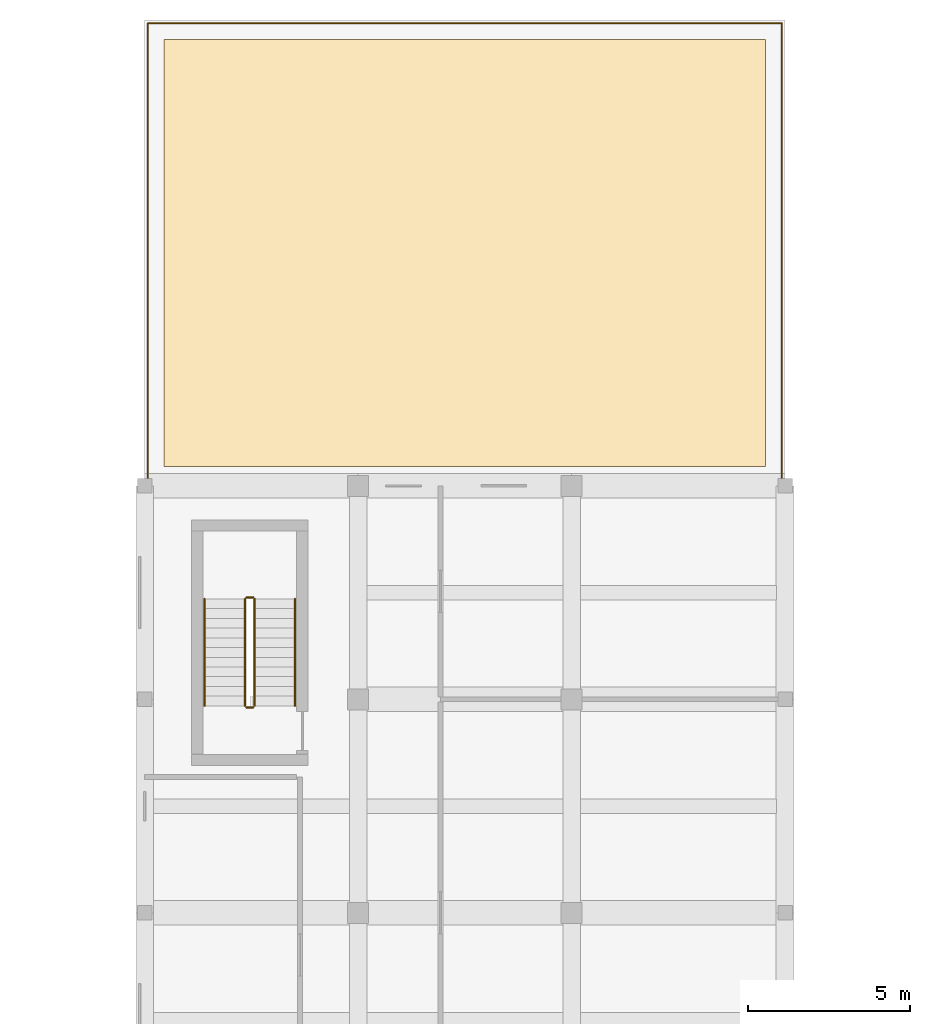
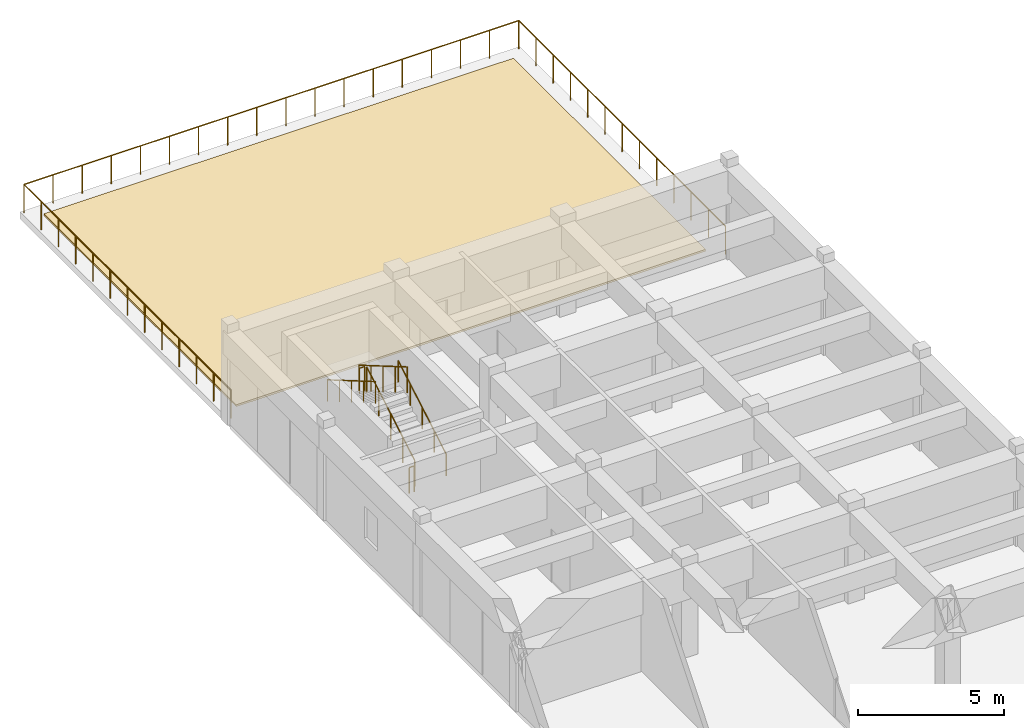
# One storey, part 130 of 130: 7 railings, 1 covering.
"""IFC4 building model written with IfcOpenShell, lengths in metres."""

import ifcopenshell
import ifcopenshell.guid

model = None  # the IFC model being written
_history = None  # IfcOwnerHistory: only IFC2X3 demands one
_inside = {}  # id of a spatial element -> (the spatial element, [elements in it])
_under = {}  # id of a project, library or spatial element -> (it, [spatial elements below it])
_declared = {}  # id of a project -> (the project, [libraries it declares])
_typed = {}  # id of a type object -> (the type object, [elements of that type])
_made_of = {}  # id of a material, layer set ... -> (it, [elements and type objects made of it])


def new_model(schema):
    """Start an empty IFC model of exactly this schema.

    Asked for "IFC4X3", IfcOpenShell would pick the latest addendum, in which some entities
    have other attributes; the version numbers below select the first issue.
    IFC2X3 requires an IfcOwnerHistory on every rooted entity: one is made here for all.
    """
    global model, _history
    if schema == "IFC4X3":
        model = ifcopenshell.file(schema_version=(4, 3, 0, 0))
    else:
        model = ifcopenshell.file(schema=schema)
    _inside.clear()
    _under.clear()
    _declared.clear()
    _typed.clear()
    _made_of.clear()
    _history = None
    if model.schema == "IFC2X3":
        org = make("IfcOrganization", Name="unknown")
        user = make(
            "IfcPersonAndOrganization",
            ThePerson=make("IfcPerson", FamilyName="unknown"),
            TheOrganization=org,
        )
        app = make(
            "IfcApplication",
            ApplicationDeveloper=org,
            Version="unknown",
            ApplicationFullName="unknown",
            ApplicationIdentifier="unknown",
        )
        _history = make(
            "IfcOwnerHistory",
            OwningUser=user,
            OwningApplication=app,
            ChangeAction="ADDED",
            CreationDate=0,
        )
    return model


def make(cls, **values):
    """One entity of the class cls with the attributes given. An attribute that is None is left unset."""
    return model.create_entity(
        cls, **{name: value for name, value in values.items() if value is not None}
    )


def rooted(cls, **values):
    """An entity with a GlobalId (a new one), such as an element, a storey or a relation."""
    return make(cls, GlobalId=ifcopenshell.guid.new(), OwnerHistory=_history, **values)


def si_unit(unit_type, name, prefix=None):
    """IfcSIUnit, for example si_unit("LENGTHUNIT", "METRE", prefix="MILLI")."""
    return make("IfcSIUnit", UnitType=unit_type, Prefix=prefix, Name=name)


def assignment(units):
    """IfcUnitAssignment: the units of a project."""
    return None if units is None else make("IfcUnitAssignment", Units=units)


def point(xyz):
    """IfcCartesianPoint."""
    return None if xyz is None else make("IfcCartesianPoint", Coordinates=xyz)


def direction(xyz):
    """IfcDirection."""
    return None if xyz is None else make("IfcDirection", DirectionRatios=xyz)


def frame(location, z_axis=None, x_axis=None):
    """IfcAxis2Placement3D, a coordinate frame: its origin and axes. An axis left out is left unset."""
    return make(
        "IfcAxis2Placement3D",
        Location=point(location),
        Axis=direction(z_axis),
        RefDirection=direction(x_axis),
    )


def frame_2d(location, x_axis=None):
    """IfcAxis2Placement2D, a coordinate frame in the plane: its origin and x axis."""
    return make(
        "IfcAxis2Placement2D", Location=point(location), RefDirection=direction(x_axis)
    )


def origin():
    """The frame at (0, 0, 0) with its axes left unset."""
    return frame((0.0, 0.0, 0.0))


def origin_2d():
    """The frame at (0, 0) in the plane with its x axis left unset."""
    return frame_2d((0.0, 0.0))


def place(relative_to, where):
    """IfcLocalPlacement: puts the frame where relative to a parent placement (None: the world)."""
    return make(
        "IfcLocalPlacement", PlacementRelTo=relative_to, RelativePlacement=where
    )


def context(
    kind, dimensions, precision=None, world=None, true_north=None, identifier=None
):
    """IfcGeometricRepresentationContext, for example the 3D "Model" context."""
    return make(
        "IfcGeometricRepresentationContext",
        ContextIdentifier=identifier,
        ContextType=kind,
        CoordinateSpaceDimension=dimensions,
        Precision=precision,
        WorldCoordinateSystem=world,
        TrueNorth=true_north,
    )


def subcontext(parent, identifier, kind, view, scale=None):
    """IfcGeometricRepresentationSubContext, for example "Body" below "Model"."""
    return make(
        "IfcGeometricRepresentationSubContext",
        ContextIdentifier=identifier,
        ContextType=kind,
        ParentContext=parent,
        TargetScale=scale,
        TargetView=view,
    )


def project(units=None, contexts=None):
    """IfcProject with its units and contexts."""
    return rooted(
        "IfcProject",
        Name="project",
        RepresentationContexts=contexts,
        UnitsInContext=assignment(units),
    )


def spatial(cls, under=None, at=None, **own):
    """A site, building, storey or space (cls), placed at a placement, below another one or the project."""
    s = rooted(cls, ObjectPlacement=at, **own)
    if under is not None:
        _under.setdefault(under.id(), (under, []))[1].append(s)
    return s


def polyline(points):
    """IfcPolyline through the points."""
    return make("IfcPolyline", Points=[point(p) for p in points])


def profile(cls, at=None, kind="AREA", **sizes):
    """A parametric profile (cls). Its sizes go by their IFC names, for example OverallWidth=200.0."""
    return make(cls, ProfileType=kind, Position=at, **sizes)


def circle(**sizes):
    """IfcCircleProfileDef."""
    return profile("IfcCircleProfileDef", **sizes)


def outline(outer, holes=None, kind="AREA"):
    """IfcArbitraryClosedProfileDef: a profile drawn as a closed curve; with holes, ...WithVoids."""
    if holes is None:
        return make("IfcArbitraryClosedProfileDef", ProfileType=kind, OuterCurve=outer)
    return make(
        "IfcArbitraryProfileDefWithVoids",
        ProfileType=kind,
        OuterCurve=outer,
        InnerCurves=holes,
    )


def extrude(swept, where, along, depth):
    """IfcExtrudedAreaSolid: the profile swept, set in the frame where, extruded along a direction by depth."""
    return make(
        "IfcExtrudedAreaSolid",
        SweptArea=swept,
        Position=where,
        ExtrudedDirection=direction(along),
        Depth=depth,
    )


def shape(context_of_items, identifier, shape_type, items):
    """IfcShapeRepresentation: the items that make up one representation, for example the "Body"."""
    return make(
        "IfcShapeRepresentation",
        ContextOfItems=context_of_items,
        RepresentationIdentifier=identifier,
        RepresentationType=shape_type,
        Items=items,
    )


def material(Name=None, Category=None):
    """IfcMaterial."""
    return make("IfcMaterial", Name=Name, Category=Category)


def layer(
    of_material, thickness, ventilated=None, Name=None, Category=None, Priority=None
):
    """IfcMaterialLayer: one layer of a wall or slab, of a material (None: an air gap)."""
    return make(
        "IfcMaterialLayer",
        Material=of_material,
        LayerThickness=thickness,
        IsVentilated=ventilated,
        Name=Name,
        Category=Category,
        Priority=Priority,
    )


def layer_set(layers, Name=None):
    """IfcMaterialLayerSet."""
    return make("IfcMaterialLayerSet", MaterialLayers=layers, LayerSetName=Name)


def made_of(thing, what):
    """Note that an element or type object is made of a material, layer set ...; save() writes the relation."""
    if what is not None:
        _made_of.setdefault(what.id(), (what, []))[1].append(thing)
    return thing


def type_object(cls, material=None, **own):
    """A type object (cls), such as IfcWallType, which elements share."""
    return made_of(rooted(cls, **own), material)


def element(
    cls,
    number,
    at=None,
    inside=None,
    cuts=None,
    type_object=None,
    material=None,
    context=None,
    identifier="Body",
    shape_type=None,
    held_by="IfcProductDefinitionShape",
    body=None,
    shapes=None,
    **own,
):
    """One element of the class cls, such as IfcWall. Its Tag is "e" and its number.

    at: its placement. inside: the storey or other place that contains it. cuts: it is an
    opening in that element (IfcRelVoidsElement). A single representation is given by context,
    identifier, shape_type and body (its items); several are given by shapes. held_by: the class
    of the entity that holds the representations. save() writes the other relations.
    """
    e = rooted(cls, Tag="e%d" % number, ObjectPlacement=at, **own)
    if body is not None:
        shapes = [shape(context, identifier, shape_type, body)]
    if shapes is not None:
        e.Representation = make(held_by, Representations=shapes)
    if inside is not None:
        _inside.setdefault(inside.id(), (inside, []))[1].append(e)
    if cuts is not None:
        rooted(
            "IfcRelVoidsElement", RelatingBuildingElement=cuts, RelatedOpeningElement=e
        )
    if type_object is not None:
        _typed.setdefault(type_object.id(), (type_object, []))[1].append(e)
    return made_of(e, material)


def aggregate(whole, parts):
    """IfcRelAggregates: a whole, such as a stair, and the parts it consists of."""
    return rooted("IfcRelAggregates", RelatingObject=whole, RelatedObjects=parts)


def save(model, path):
    """Write the relations noted so far, then the file.

    IfcRelAggregates (storeys below a building ...), IfcRelContainedInSpatialStructure (elements
    in a storey), IfcRelDefinesByType, IfcRelAssociatesMaterial and IfcRelDeclares: one each for
    every whole, place, type object, material and project.
    """
    for whole, parts in _under.values():
        aggregate(whole, parts)
    for where, things in _inside.values():
        rooted(
            "IfcRelContainedInSpatialStructure",
            RelatedElements=things,
            RelatingStructure=where,
        )
    for kind, things in _typed.values():
        rooted("IfcRelDefinesByType", RelatedObjects=things, RelatingType=kind)
    for what, things in _made_of.values():
        rooted("IfcRelAssociatesMaterial", RelatedObjects=things, RelatingMaterial=what)
    for by, libraries in _declared.values():
        rooted("IfcRelDeclares", RelatingContext=by, RelatedDefinitions=libraries)
    model.write(path)


model = new_model("IFC4")

# Units and contexts
model_context = context("Model", 3, precision=1e-05, world=origin(), true_north=direction((0.0, 1.0)))
body_context = subcontext(model_context, "Body", "Model", "MODEL_VIEW")
ifc_project = project(units=[si_unit("LENGTHUNIT", "METRE"), si_unit("AREAUNIT", "SQUARE_METRE"), si_unit("VOLUMEUNIT", "CUBIC_METRE"), si_unit("PLANEANGLEUNIT", "RADIAN"), si_unit("MASSUNIT", "GRAM", prefix="KILO")], contexts=[model_context])

# Site, building, storey
site_placement = place(None, origin())
site = spatial("IfcSite", under=ifc_project, at=site_placement, CompositionType="ELEMENT")
building_placement = place(site_placement, origin())
building = spatial("IfcBuilding", under=site, at=building_placement, Name="Karori Crest Natural Sciences Institute", CompositionType="ELEMENT")
storey_placement = place(building_placement, frame((0.0, 0.0, 17.5)))
storey = spatial("IfcBuildingStorey", under=building, at=storey_placement, Name="L04", CompositionType="ELEMENT", Elevation=17.5)

# Covering
ifc_material_1 = material(Name="Planted coastal roof garden substrate and membrane")
ifc_layer = layer(ifc_material_1, 0.080078125, Name="Planted coastal roof garden substrate and membrane")
ifc_layer_set = layer_set([ifc_layer], Name="Planted coastal roof garden substrate and membrane")
covering_type = type_object("IfcCoveringType", Name="CVT-ROOF", PredefinedType="ROOFING", material=ifc_layer_set)
covering_placement = place(storey_placement, origin())
element("IfcCovering", 1, at=covering_placement, inside=storey, type_object=covering_type, Name="Roof garden substrate RF-0002", PredefinedType="ROOFING", context=body_context, shape_type="SweptSolid", body=[
    extrude(outline(polyline([(8.0, 148.39990234375), (26.60009765625, 148.39990234375), (26.60009765625, 161.60009765625), (8.0, 161.60009765625), (8.0, 148.39990234375)])), origin(), (0.0, 0.0, 1.0), 0.080078125),
])

# Railings
ifc_material_2 = material(Name="Stainless steel 316 balustrade", Category="steel")
railing_type_1 = type_object("IfcRailingType", Name="RLT-GRD", PredefinedType="GUARDRAIL", material=ifc_material_2)
railing_1_placement = place(storey_placement, frame((7.5, 147.89990234375, 0.0)))
element("IfcRailing", 2, at=railing_1_placement, inside=storey, type_object=railing_type_1, Name="V4 L04 terrace guard GR-0012", PredefinedType="GUARDRAIL", context=body_context, shape_type="SweptSolid", body=[
    extrude(circle(Radius=0.02392578125, at=origin_2d()), frame((0.0, 0.0, 1.17578125), z_axis=(0.0, 1.0, 0.0), x_axis=(-1.0, 0.0, 0.0)), (0.0, 0.0, 1.0), 14.2001953125),
    extrude(circle(Radius=0.02392578125, at=origin_2d()), frame((0.0, 14.2001953125, 1.17578125), z_axis=(1.0, 0.0, 0.0), x_axis=(0.0, 1.0, 0.0)), (0.0, 0.0, 1.0), 19.60009765625),
    extrude(circle(Radius=0.02392578125, at=origin_2d()), frame((19.60009765625, 14.2001953125, 1.17578125), z_axis=(0.0, -1.0, 0.0), x_axis=(1.0, 0.0, 0.0)), (0.0, 0.0, 1.0), 14.2001953125),
    extrude(circle(Radius=0.02099609375, at=origin_2d()), origin(), (0.0, 0.0, 1.0), 1.15185546875),
    extrude(circle(Radius=0.02099609375, at=origin_2d()), frame((0.0, 1.183349609375, 0.0)), (0.0, 0.0, 1.0), 1.15185546875),
    extrude(circle(Radius=0.02099609375, at=origin_2d()), frame((0.0, 2.36669921875, 0.0)), (0.0, 0.0, 1.0), 1.15185546875),
    extrude(circle(Radius=0.02099609375, at=origin_2d()), frame((0.0, 3.550048828125, 0.0)), (0.0, 0.0, 1.0), 1.15185546875),
    extrude(circle(Radius=0.02099609375, at=origin_2d()), frame((0.0, 4.7333984375, 0.0)), (0.0, 0.0, 1.0), 1.15185546875),
    extrude(circle(Radius=0.02099609375, at=origin_2d()), frame((0.0, 5.916748046875, 0.0)), (0.0, 0.0, 1.0), 1.15185546875),
    extrude(circle(Radius=0.02099609375, at=origin_2d()), frame((0.0, 7.10009765625, 0.0)), (0.0, 0.0, 1.0), 1.15185546875),
    extrude(circle(Radius=0.02099609375, at=origin_2d()), frame((0.0, 8.283447265625, 0.0)), (0.0, 0.0, 1.0), 1.15185546875),
    extrude(circle(Radius=0.02099609375, at=origin_2d()), frame((0.0, 9.466796875, 0.0)), (0.0, 0.0, 1.0), 1.15185546875),
    extrude(circle(Radius=0.02099609375, at=origin_2d()), frame((0.0, 10.650146484375, 0.0)), (0.0, 0.0, 1.0), 1.15185546875),
    extrude(circle(Radius=0.02099609375, at=origin_2d()), frame((0.0, 11.83349609375, 0.0)), (0.0, 0.0, 1.0), 1.15185546875),
    extrude(circle(Radius=0.02099609375, at=origin_2d()), frame((0.0, 13.016845703125, 0.0)), (0.0, 0.0, 1.0), 1.15185546875),
    extrude(circle(Radius=0.02099609375, at=origin_2d()), frame((0.0, 14.2001953125, 0.0)), (0.0, 0.0, 1.0), 1.15185546875),
    extrude(circle(Radius=0.02099609375, at=origin_2d()), frame((1.15283203125, 14.2001953125, 0.0)), (0.0, 0.0, 1.0), 1.15185546875),
    extrude(circle(Radius=0.02099609375, at=origin_2d()), frame((2.305908203125, 14.2001953125, 0.0)), (0.0, 0.0, 1.0), 1.15185546875),
    extrude(circle(Radius=0.02099609375, at=origin_2d()), frame((3.458740234375, 14.2001953125, 0.0)), (0.0, 0.0, 1.0), 1.15185546875),
    extrude(circle(Radius=0.02099609375, at=origin_2d()), frame((4.61181640625, 14.2001953125, 0.0)), (0.0, 0.0, 1.0), 1.15185546875),
    extrude(circle(Radius=0.02099609375, at=origin_2d()), frame((5.7646484375, 14.2001953125, 0.0)), (0.0, 0.0, 1.0), 1.15185546875),
    extrude(circle(Radius=0.02099609375, at=origin_2d()), frame((6.917724609375, 14.2001953125, 0.0)), (0.0, 0.0, 1.0), 1.15185546875),
    extrude(circle(Radius=0.02099609375, at=origin_2d()), frame((8.070556640625, 14.2001953125, 0.0)), (0.0, 0.0, 1.0), 1.15185546875),
    extrude(circle(Radius=0.02099609375, at=origin_2d()), frame((9.2236328125, 14.2001953125, 0.0)), (0.0, 0.0, 1.0), 1.15185546875),
    extrude(circle(Radius=0.02099609375, at=origin_2d()), frame((10.37646484375, 14.2001953125, 0.0)), (0.0, 0.0, 1.0), 1.15185546875),
    extrude(circle(Radius=0.02099609375, at=origin_2d()), frame((11.529541015625, 14.2001953125, 0.0)), (0.0, 0.0, 1.0), 1.15185546875),
    extrude(circle(Radius=0.02099609375, at=origin_2d()), frame((12.682373046875, 14.2001953125, 0.0)), (0.0, 0.0, 1.0), 1.15185546875),
    extrude(circle(Radius=0.02099609375, at=origin_2d()), frame((13.83544921875, 14.2001953125, 0.0)), (0.0, 0.0, 1.0), 1.15185546875),
    extrude(circle(Radius=0.02099609375, at=origin_2d()), frame((14.98828125, 14.2001953125, 0.0)), (0.0, 0.0, 1.0), 1.15185546875),
    extrude(circle(Radius=0.02099609375, at=origin_2d()), frame((16.141357421875, 14.2001953125, 0.0)), (0.0, 0.0, 1.0), 1.15185546875),
    extrude(circle(Radius=0.02099609375, at=origin_2d()), frame((17.294189453125, 14.2001953125, 0.0)), (0.0, 0.0, 1.0), 1.15185546875),
    extrude(circle(Radius=0.02099609375, at=origin_2d()), frame((18.447265625, 14.2001953125, 0.0)), (0.0, 0.0, 1.0), 1.15185546875),
    extrude(circle(Radius=0.02099609375, at=origin_2d()), frame((19.60009765625, 14.2001953125, 0.0)), (0.0, 0.0, 1.0), 1.15185546875),
    extrude(circle(Radius=0.02099609375, at=origin_2d()), frame((19.60009765625, 13.016845703125, 0.0)), (0.0, 0.0, 1.0), 1.15185546875),
    extrude(circle(Radius=0.02099609375, at=origin_2d()), frame((19.60009765625, 11.83349609375, 0.0)), (0.0, 0.0, 1.0), 1.15185546875),
    extrude(circle(Radius=0.02099609375, at=origin_2d()), frame((19.60009765625, 10.650146484375, 0.0)), (0.0, 0.0, 1.0), 1.15185546875),
    extrude(circle(Radius=0.02099609375, at=origin_2d()), frame((19.60009765625, 9.466796875, 0.0)), (0.0, 0.0, 1.0), 1.15185546875),
    extrude(circle(Radius=0.02099609375, at=origin_2d()), frame((19.60009765625, 8.283447265625, 0.0)), (0.0, 0.0, 1.0), 1.15185546875),
    extrude(circle(Radius=0.02099609375, at=origin_2d()), frame((19.60009765625, 7.10009765625, 0.0)), (0.0, 0.0, 1.0), 1.15185546875),
    extrude(circle(Radius=0.02099609375, at=origin_2d()), frame((19.60009765625, 5.916748046875, 0.0)), (0.0, 0.0, 1.0), 1.15185546875),
    extrude(circle(Radius=0.02099609375, at=origin_2d()), frame((19.60009765625, 4.7333984375, 0.0)), (0.0, 0.0, 1.0), 1.15185546875),
    extrude(circle(Radius=0.02099609375, at=origin_2d()), frame((19.60009765625, 3.550048828125, 0.0)), (0.0, 0.0, 1.0), 1.15185546875),
    extrude(circle(Radius=0.02099609375, at=origin_2d()), frame((19.60009765625, 2.36669921875, 0.0)), (0.0, 0.0, 1.0), 1.15185546875),
    extrude(circle(Radius=0.02099609375, at=origin_2d()), frame((19.60009765625, 1.183349609375, 0.0)), (0.0, 0.0, 1.0), 1.15185546875),
    extrude(circle(Radius=0.02099609375, at=origin_2d()), frame((19.60009765625, 0.0, 0.0)), (0.0, 0.0, 1.0), 1.15185546875),
])
ifc_material_3 = material(Name="Stainless steel 316 tubular handrail", Category="steel")
railing_type_2 = type_object("IfcRailingType", Name="RLT-HND", PredefinedType="HANDRAIL", material=ifc_material_3)
railing_2_placement = place(storey_placement, frame((12.050048828125, 141.0, 0.175048828125)))
element("IfcRailing", 3, at=railing_2_placement, inside=storey, type_object=railing_type_2, Name="Stair handrail RL-0304", PredefinedType="HANDRAIL", context=body_context, shape_type="SweptSolid", body=[
    extrude(circle(Radius=0.02392578125, at=origin_2d()), frame((0.0, 0.0, 0.90087890625), z_axis=(0.0, 0.863776583165, 0.503874998761), x_axis=(-1.0, 0.0, 0.0)), (0.0, 0.0, 1.0), 3.820556640625),
    extrude(circle(Radius=0.02099609375, at=origin_2d()), origin(), (0.0, 0.0, 1.0), 0.876953125),
    extrude(circle(Radius=0.02099609375, at=origin_2d()), frame((0.0, 0.824951171875, 0.481201171875)), (0.0, 0.0, 1.0), 0.876953125),
    extrude(circle(Radius=0.02099609375, at=origin_2d()), frame((0.0, 1.64990234375, 0.96240234375)), (0.0, 0.0, 1.0), 0.876953125),
    extrude(circle(Radius=0.02099609375, at=origin_2d()), frame((0.0, 2.47509765625, 1.44384765625)), (0.0, 0.0, 1.0), 0.876953125),
    extrude(circle(Radius=0.02099609375, at=origin_2d()), frame((0.0, 3.300048828125, 1.925048828125)), (0.0, 0.0, 1.0), 0.876953125),
])
railing_3_placement = place(storey_placement, frame((9.25, 144.300048828125, 2.27490234375)))
element("IfcRailing", 4, at=railing_3_placement, inside=storey, type_object=railing_type_2, Name="Stair handrail RL-0305", PredefinedType="HANDRAIL", context=body_context, shape_type="SweptSolid", body=[
    extrude(circle(Radius=0.02392578125, at=origin_2d()), frame((0.0, 0.0, 0.90087890625), z_axis=(0.0, -0.863776583165, 0.503874998761), x_axis=(1.0, 0.0, 0.0)), (0.0, 0.0, 1.0), 3.820556640625),
    extrude(circle(Radius=0.02099609375, at=origin_2d()), origin(), (0.0, 0.0, 1.0), 0.876953125),
    extrude(circle(Radius=0.02099609375, at=origin_2d()), frame((0.0, -0.824951171875, 0.481201171875)), (0.0, 0.0, 1.0), 0.876953125),
    extrude(circle(Radius=0.02099609375, at=origin_2d()), frame((0.0, -1.64990234375, 0.96240234375)), (0.0, 0.0, 1.0), 0.876953125),
    extrude(circle(Radius=0.02099609375, at=origin_2d()), frame((0.0, -2.47509765625, 1.44384765625)), (0.0, 0.0, 1.0), 0.876953125),
    extrude(circle(Radius=0.02099609375, at=origin_2d()), frame((0.0, -3.300048828125, 1.925048828125)), (0.0, 0.0, 1.0), 0.876953125),
])
ifc_material_4 = material(Name="Stainless steel 316 stair guard", Category="steel")
railing_type_3 = type_object("IfcRailingType", Name="RLT-STG", PredefinedType="GUARDRAIL", material=ifc_material_4)
railing_4_placement = place(storey_placement, frame((10.800048828125, 141.0, 0.175048828125)))
element("IfcRailing", 5, at=railing_4_placement, inside=storey, type_object=railing_type_3, Name="Stair guard RL-0300", PredefinedType="GUARDRAIL", context=body_context, shape_type="SweptSolid", body=[
    extrude(circle(Radius=0.02392578125, at=origin_2d()), frame((0.0, 0.0, 1.076171875), z_axis=(0.0, 0.863776583165, 0.503874998761), x_axis=(-1.0, 0.0, 0.0)), (0.0, 0.0, 1.0), 3.820556640625),
    extrude(circle(Radius=0.02099609375, at=origin_2d()), origin(), (0.0, 0.0, 1.0), 1.052001953125),
    extrude(circle(Radius=0.02099609375, at=origin_2d()), frame((0.0, 0.824951171875, 0.481201171875)), (0.0, 0.0, 1.0), 1.052001953125),
    extrude(circle(Radius=0.02099609375, at=origin_2d()), frame((0.0, 1.64990234375, 0.96240234375)), (0.0, 0.0, 1.0), 1.052001953125),
    extrude(circle(Radius=0.02099609375, at=origin_2d()), frame((0.0, 2.47509765625, 1.44384765625)), (0.0, 0.0, 1.0), 1.052001953125),
    extrude(circle(Radius=0.02099609375, at=origin_2d()), frame((0.0, 3.300048828125, 1.925048828125)), (0.0, 0.0, 1.0), 1.052001953125),
])
railing_5_placement = place(storey_placement, frame((10.75, 144.35009765625, 2.10009765625)))
element("IfcRailing", 6, at=railing_5_placement, inside=storey, type_object=railing_type_3, Name="Stair guard RL-0301", PredefinedType="GUARDRAIL", context=body_context, shape_type="SweptSolid", body=[
    extrude(circle(Radius=0.02392578125, at=origin_2d()), frame((0.0, 0.0, 1.076171875), z_axis=(-1.0, 0.0, 0.0), x_axis=(0.0, -1.0, 0.0)), (0.0, 0.0, 1.0), 0.199951171875),
    extrude(circle(Radius=0.02099609375, at=origin_2d()), origin(), (0.0, 0.0, 1.0), 1.052001953125),
    extrude(circle(Radius=0.02099609375, at=origin_2d()), frame((-0.199951171875, 0.0, 0.0)), (0.0, 0.0, 1.0), 1.052001953125),
])
railing_6_placement = place(storey_placement, frame((10.5, 144.300048828125, 2.27490234375)))
element("IfcRailing", 7, at=railing_6_placement, inside=storey, type_object=railing_type_3, Name="Stair guard RL-0302", PredefinedType="GUARDRAIL", context=body_context, shape_type="SweptSolid", body=[
    extrude(circle(Radius=0.02392578125, at=origin_2d()), frame((0.0, 0.0, 1.076171875), z_axis=(0.0, -0.863776583165, 0.503874998761), x_axis=(1.0, 0.0, 0.0)), (0.0, 0.0, 1.0), 3.820556640625),
    extrude(circle(Radius=0.02099609375, at=origin_2d()), origin(), (0.0, 0.0, 1.0), 1.052001953125),
    extrude(circle(Radius=0.02099609375, at=origin_2d()), frame((0.0, -0.824951171875, 0.481201171875)), (0.0, 0.0, 1.0), 1.052001953125),
    extrude(circle(Radius=0.02099609375, at=origin_2d()), frame((0.0, -1.64990234375, 0.96240234375)), (0.0, 0.0, 1.0), 1.052001953125),
    extrude(circle(Radius=0.02099609375, at=origin_2d()), frame((0.0, -2.47509765625, 1.44384765625)), (0.0, 0.0, 1.0), 1.052001953125),
    extrude(circle(Radius=0.02099609375, at=origin_2d()), frame((0.0, -3.300048828125, 1.925048828125)), (0.0, 0.0, 1.0), 1.052001953125),
])
railing_7_placement = place(storey_placement, frame((10.75, 140.949951171875, 0.0)))
element("IfcRailing", 8, at=railing_7_placement, inside=storey, type_object=railing_type_3, Name="Stair guard RL-0303", PredefinedType="GUARDRAIL", context=body_context, shape_type="SweptSolid", body=[
    extrude(circle(Radius=0.02392578125, at=origin_2d()), frame((0.0, 0.0, 1.076171875), z_axis=(-1.0, 0.0, 0.0), x_axis=(0.0, -1.0, 0.0)), (0.0, 0.0, 1.0), 0.199951171875),
    extrude(circle(Radius=0.02099609375, at=origin_2d()), origin(), (0.0, 0.0, 1.0), 1.052001953125),
    extrude(circle(Radius=0.02099609375, at=origin_2d()), frame((-0.199951171875, 0.0, 0.0)), (0.0, 0.0, 1.0), 1.052001953125),
])

save(model, "model.ifc")
